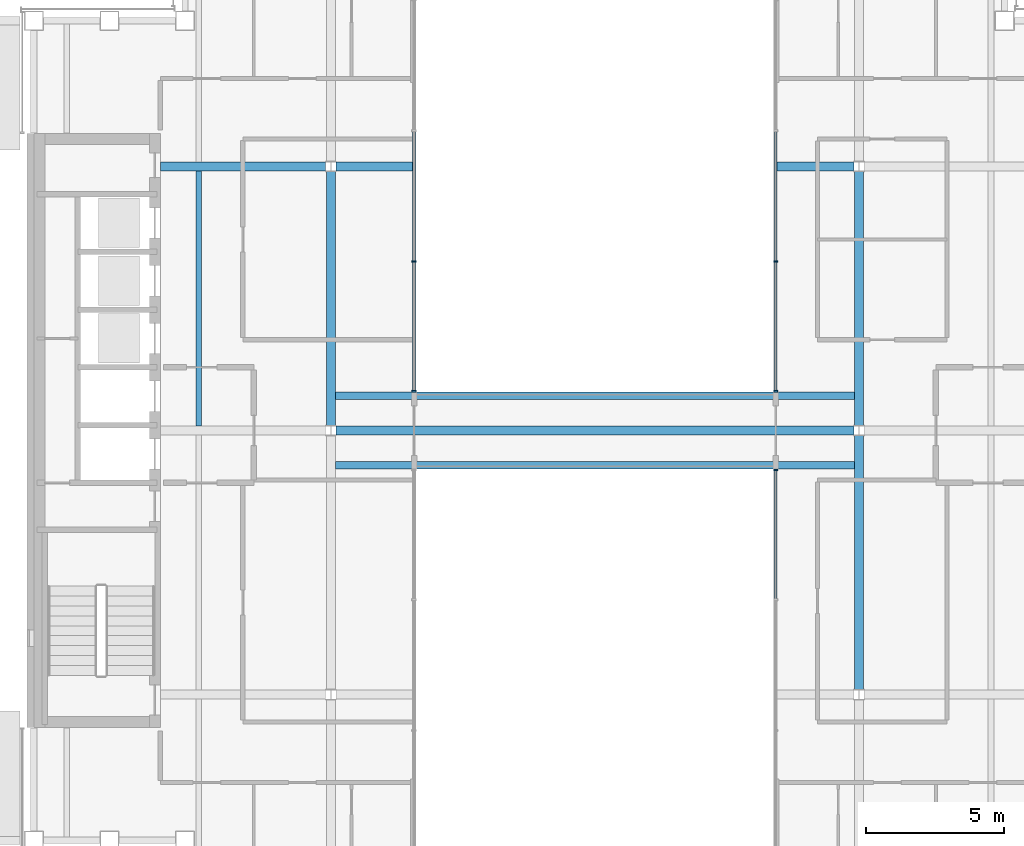
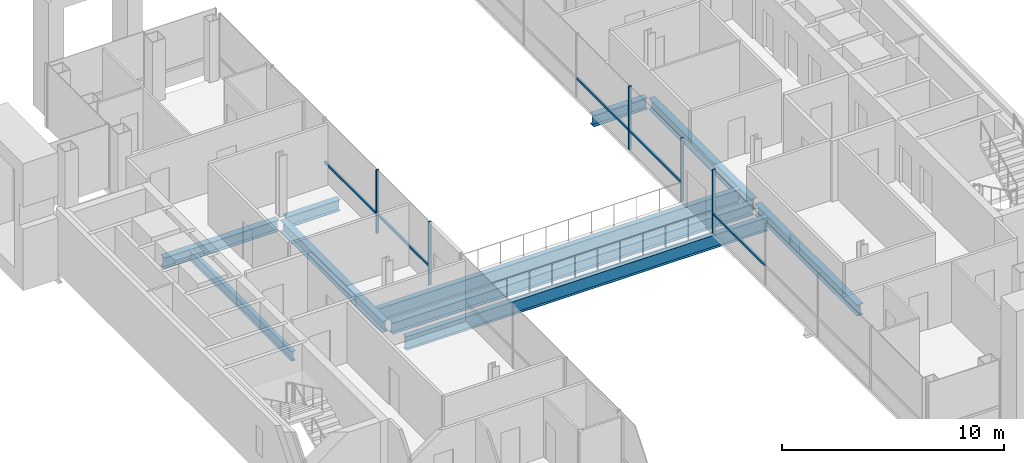
# One storey, part 5 of 17: 10 beams, 10 members, 3 elements without a shape of their own.
"""IFC4 building model written with IfcOpenShell, lengths in metres."""

from ifc_helpers import new_model, si_unit, direction, frame, origin, origin_2d, place, context, subcontext, project, spatial, rectangle, i_section, extrude, material, material_profile, profile_set, type_object, element, aggregate, save


model = new_model("IFC4")

# Units and contexts
model_context = context("Model", 3, precision=1e-05, world=origin(), true_north=direction((0.0, 1.0)))
body_context = subcontext(model_context, "Body", "Model", "MODEL_VIEW")
ifc_project = project(units=[si_unit("LENGTHUNIT", "METRE"), si_unit("AREAUNIT", "SQUARE_METRE"), si_unit("VOLUMEUNIT", "CUBIC_METRE"), si_unit("PLANEANGLEUNIT", "RADIAN"), si_unit("MASSUNIT", "GRAM", prefix="KILO")], contexts=[model_context])

# Site, building, storey
site_placement = place(None, origin())
site = spatial("IfcSite", under=ifc_project, at=site_placement, CompositionType="ELEMENT")
building_placement = place(site_placement, origin())
building = spatial("IfcBuilding", under=site, at=building_placement, Name="Cobrizo Arcos Hotel Tower", CompositionType="ELEMENT")
storey_placement = place(building_placement, frame((0.0, 0.0, 226.0)))
storey = spatial("IfcBuildingStorey", under=building, at=storey_placement, Name="L59", CompositionType="ELEMENT", Elevation=226.0)

# Curtain wall, member
ifc_material_1 = material(Name="Aluminium 6063-T6 anodised bronze", Category="aluminium")
curtain_wall_type = type_object("IfcCurtainWallType", Name="CW-F void screen", PredefinedType="NOTDEFINED", material=ifc_material_1)
curtain_wall_1_placement = place(storey_placement, origin())
curtain_wall_1 = element("IfcCurtainWall", 1, at=curtain_wall_1_placement, inside=storey, type_object=curtain_wall_type, Name="CW-F L59 void screen C", PredefinedType="NOTDEFINED")
ifc_material_profile_1 = material_profile(ifc_material_1, rectangle(XDim=0.14990234375, YDim=0.06005859375, at=origin_2d()), Name="CW-F mullion 150x60")
ifc_profile_set_1 = profile_set([ifc_material_profile_1], Name="Aluminium 6063-T6 anodised bronze")
member_type_1 = type_object("IfcMemberType", Name="CW-F mullion 150x60", PredefinedType="MULLION", material=ifc_profile_set_1)
member_1_placement = place(storey_placement, frame((6.574951171875, -1.429931640625, 0.0), z_axis=(0.0, 0.0, 1.0), x_axis=(1.0, 0.0, 0.0)))
member_1 = element("IfcMember", 2, at=member_1_placement, type_object=member_type_1, Name="CW-F mullion 5", PredefinedType="MULLION", context=body_context, shape_type="SweptSolid", body=[
    extrude(rectangle(XDim=0.14990234375, YDim=0.06005859375, at=origin_2d()), origin(), (0.0, 0.0, 1.0), 3.5),
])

# Curtain wall, members
curtain_wall_2_placement = place(storey_placement, origin())
curtain_wall_2 = element("IfcCurtainWall", 3, at=curtain_wall_2_placement, inside=storey, type_object=curtain_wall_type, Name="CW-F L59 void screen C", PredefinedType="NOTDEFINED")
member_2_placement = place(storey_placement, frame((6.574951171875, 1.429931640625, 0.0), z_axis=(0.0, 0.0, 1.0), x_axis=(1.0, 0.0, 0.0)))
member_2 = element("IfcMember", 4, at=member_2_placement, type_object=member_type_1, Name="CW-F mullion 1", PredefinedType="MULLION", context=body_context, shape_type="SweptSolid", body=[
    extrude(rectangle(XDim=0.14990234375, YDim=0.06005859375, at=origin_2d()), origin(), (0.0, 0.0, 1.0), 3.5),
])
member_3_placement = place(storey_placement, frame((6.574951171875, 6.14990234375, 0.0), z_axis=(0.0, 0.0, 1.0), x_axis=(1.0, 0.0, 0.0)))
member_3 = element("IfcMember", 5, at=member_3_placement, type_object=member_type_1, Name="CW-F mullion 2", PredefinedType="MULLION", context=body_context, shape_type="SweptSolid", body=[
    extrude(rectangle(XDim=0.14990234375, YDim=0.06005859375, at=origin_2d()), origin(), (0.0, 0.0, 1.0), 3.5),
])

curtain_wall_3_placement = place(storey_placement, origin())
curtain_wall_3 = element("IfcCurtainWall", 6, at=curtain_wall_3_placement, inside=storey, type_object=curtain_wall_type, Name="CW-F L59 void screen C", PredefinedType="NOTDEFINED")
member_4_placement = place(storey_placement, frame((-6.574951171875, 6.14990234375, 0.0), z_axis=(0.0, 0.0, 1.0), x_axis=(-1.0, 0.0, 0.0)))
member_4 = element("IfcMember", 7, at=member_4_placement, type_object=member_type_1, Name="CW-F mullion 4", PredefinedType="MULLION", context=body_context, shape_type="SweptSolid", body=[
    extrude(rectangle(XDim=0.14990234375, YDim=0.06005859375, at=origin_2d()), origin(), (0.0, 0.0, 1.0), 3.5),
])
member_5_placement = place(storey_placement, frame((-6.574951171875, 1.429931640625, 0.0), z_axis=(0.0, 0.0, 1.0), x_axis=(-1.0, 0.0, 0.0)))
member_5 = element("IfcMember", 8, at=member_5_placement, type_object=member_type_1, Name="CW-F mullion 5", PredefinedType="MULLION", context=body_context, shape_type="SweptSolid", body=[
    extrude(rectangle(XDim=0.14990234375, YDim=0.06005859375, at=origin_2d()), origin(), (0.0, 0.0, 1.0), 3.5),
])

# Member
ifc_material_profile_2 = material_profile(ifc_material_1, rectangle(XDim=0.10009765625, YDim=0.1201171875, at=origin_2d()), Name="CW-F transom 120x100")
ifc_profile_set_2 = profile_set([ifc_material_profile_2], Name="Aluminium 6063-T6 anodised bronze")
member_type_2 = type_object("IfcMemberType", Name="CW-F transom 120x100", PredefinedType="USERDEFINED", material=ifc_profile_set_2)
member_6_placement = place(storey_placement, frame((6.574951171875, -6.1201171875, 1.050048828125), z_axis=(0.0, 1.0, 0.0), x_axis=(-1.0, 0.0, 0.0)))
member_6 = element("IfcMember", 9, at=member_6_placement, type_object=member_type_2, Name="CW-F transom 2719", ObjectType="TRANSOM", PredefinedType="USERDEFINED", context=body_context, shape_type="SweptSolid", body=[
    extrude(rectangle(XDim=0.10009765625, YDim=0.1201171875, at=origin_2d()), origin(), (0.0, 0.0, 1.0), 4.66015625),
])

aggregate(curtain_wall_1, [member_1, member_6])

member_7_placement = place(storey_placement, frame((6.574951171875, 1.4599609375, 1.050048828125), z_axis=(0.0, 1.0, 0.0), x_axis=(-1.0, 0.0, 0.0)))
member_7 = element("IfcMember", 10, at=member_7_placement, type_object=member_type_2, Name="CW-F transom 2720", ObjectType="TRANSOM", PredefinedType="USERDEFINED", context=body_context, shape_type="SweptSolid", body=[
    extrude(rectangle(XDim=0.10009765625, YDim=0.1201171875, at=origin_2d()), origin(), (0.0, 0.0, 1.0), 4.66015625),
])

member_8_placement = place(storey_placement, frame((6.574951171875, 6.179931640625, 1.050048828125), z_axis=(0.0, 1.0, 0.0), x_axis=(-1.0, 0.0, 0.0)))
member_8 = element("IfcMember", 11, at=member_8_placement, type_object=member_type_2, Name="CW-F transom 2721", ObjectType="TRANSOM", PredefinedType="USERDEFINED", context=body_context, shape_type="SweptSolid", body=[
    extrude(rectangle(XDim=0.10009765625, YDim=0.1201171875, at=origin_2d()), origin(), (0.0, 0.0, 1.0), 4.690185546875),
])

aggregate(curtain_wall_2, [member_2, member_3, member_7, member_8])

member_9_placement = place(storey_placement, frame((-6.574951171875, 10.8701171875, 1.050048828125), z_axis=(0.0, -1.0, 0.0), x_axis=(1.0, 0.0, 0.0)))
member_9 = element("IfcMember", 12, at=member_9_placement, type_object=member_type_2, Name="CW-F transom 2726", ObjectType="TRANSOM", PredefinedType="USERDEFINED", context=body_context, shape_type="SweptSolid", body=[
    extrude(rectangle(XDim=0.10009765625, YDim=0.1201171875, at=origin_2d()), origin(), (0.0, 0.0, 1.0), 4.690185546875),
])

member_10_placement = place(storey_placement, frame((-6.574951171875, 6.1201171875, 1.050048828125), z_axis=(0.0, -1.0, 0.0), x_axis=(1.0, 0.0, 0.0)))
member_10 = element("IfcMember", 13, at=member_10_placement, type_object=member_type_2, Name="CW-F transom 2727", ObjectType="TRANSOM", PredefinedType="USERDEFINED", context=body_context, shape_type="SweptSolid", body=[
    extrude(rectangle(XDim=0.10009765625, YDim=0.1201171875, at=origin_2d()), origin(), (0.0, 0.0, 1.0), 4.66015625),
])

aggregate(curtain_wall_3, [member_4, member_5, member_9, member_10])

# Beams
ifc_material_2 = material(Name="Steel ASTM A992 Grade 50", Category="steel")
ifc_material_profile_3 = material_profile(ifc_material_2, i_section(OverallWidth=0.209228515625, OverallDepth=0.533447265625, WebThickness=0.01025390625, FlangeThickness=0.015625, at=origin_2d()), Name="W21X62")
ifc_profile_set_3 = profile_set([ifc_material_profile_3], Name="Steel ASTM A992 Grade 50")
beam_type_1 = type_object("IfcBeamType", Name="W21X62 joist", PredefinedType="JOIST", material=ifc_profile_set_3)
beam_1_placement = place(storey_placement, frame((-14.39990234375, 0.163818359375, -0.416748046875), z_axis=(0.0, 1.0, 0.0), x_axis=(-1.0, 0.0, 0.0)))
element("IfcBeam", 14, at=beam_1_placement, inside=storey, type_object=beam_type_1, Name="Floor joist J1, L59, no. 005", PredefinedType="JOIST", context=body_context, shape_type="SweptSolid", body=[
    extrude(i_section(OverallWidth=0.209228515625, OverallDepth=0.533447265625, WebThickness=0.01025390625, FlangeThickness=0.015625, at=origin_2d()), origin(), (0.0, 0.0, 1.0), 9.272216796875),
])
ifc_material_profile_4 = material_profile(ifc_material_2, i_section(OverallWidth=0.32763671875, OverallDepth=0.622314453125, WebThickness=0.015380859375, FlangeThickness=0.0244140625, at=origin_2d()), Name="W24X131")
ifc_profile_set_4 = profile_set([ifc_material_profile_4], Name="Steel ASTM A992 Grade 50")
beam_type_2 = type_object("IfcBeamType", Name="W24X131 girder", PredefinedType="BEAM", material=ifc_profile_set_4)
beam_2_placement = place(storey_placement, frame((-9.413330078125, 0.0, -0.461181640625), z_axis=(1.0, 0.0, 0.0), x_axis=(0.0, 1.0, 0.0)))
element("IfcBeam", 15, at=beam_2_placement, inside=storey, type_object=beam_type_2, Name="Floor girder G1, L59, no. 006", PredefinedType="BEAM", context=body_context, shape_type="SweptSolid", body=[
    extrude(i_section(OverallWidth=0.32763671875, OverallDepth=0.622314453125, WebThickness=0.015380859375, FlangeThickness=0.0244140625, at=origin_2d()), origin(), (0.0, 0.0, 1.0), 18.82666015625),
])
beam_3_placement = place(storey_placement, frame((-15.7900390625, 9.60009765625, -0.461181640625), z_axis=(1.0, 0.0, 0.0), x_axis=(0.0, 1.0, 0.0)))
element("IfcBeam", 16, at=beam_3_placement, inside=storey, type_object=beam_type_2, Name="Floor girder G1, L59, no. 008", PredefinedType="BEAM", context=body_context, shape_type="SweptSolid", body=[
    extrude(i_section(OverallWidth=0.32763671875, OverallDepth=0.622314453125, WebThickness=0.015380859375, FlangeThickness=0.0244140625, at=origin_2d()), origin(), (0.0, 0.0, 1.0), 6.00341796875),
])
for number, where, z_axis, x_axis, name in (
    (17, (-9.413330078125, 9.60009765625, -0.461181640625), (1.0, 0.0, 0.0), (0.0, 1.0, 0.0), "Floor girder G1, L59, no. 009"),
    (18, (6.590087890625, 9.60009765625, -0.461181640625), (1.0, 0.0, 0.0), (0.0, 1.0, 0.0), "Floor girder G1, L59, no. 010"),
):
    element("IfcBeam", number, at=place(storey_placement, frame(where, z_axis=z_axis, x_axis=x_axis)), inside=storey, type_object=beam_type_2, Name=name, PredefinedType="BEAM", context=body_context, shape_type="SweptSolid", body=[
        extrude(i_section(OverallWidth=0.32763671875, OverallDepth=0.622314453125, WebThickness=0.015380859375, FlangeThickness=0.0244140625, at=origin_2d()), origin(), (0.0, 0.0, 1.0), 2.8232421875),
    ])
for number, where, z_axis, x_axis, name in (
    (19, (-9.60009765625, 0.186767578125, -0.461181640625), (0.0, 1.0, 0.0), (-1.0, 0.0, 0.0), "Floor girder G1, L59, no. 014"),
    (20, (9.60009765625, -9.413330078125, -0.461181640625), (0.0, 1.0, 0.0), (-1.0, 0.0, 0.0), "Floor girder G1, L59, no. 017"),
    (21, (9.60009765625, 0.186767578125, -0.461181640625), (0.0, 1.0, 0.0), (-1.0, 0.0, 0.0), "Floor girder G1, L59, no. 018"),
):
    element("IfcBeam", number, at=place(storey_placement, frame(where, z_axis=z_axis, x_axis=x_axis)), inside=storey, type_object=beam_type_2, Name=name, PredefinedType="BEAM", context=body_context, shape_type="SweptSolid", body=[
        extrude(i_section(OverallWidth=0.32763671875, OverallDepth=0.622314453125, WebThickness=0.015380859375, FlangeThickness=0.0244140625, at=origin_2d()), origin(), (0.0, 0.0, 1.0), 9.2265625),
    ])
ifc_material_profile_5 = material_profile(ifc_material_2, i_section(OverallWidth=0.2666015625, OverallDepth=0.7568359375, WebThickness=0.013916015625, FlangeThickness=0.019287109375, at=origin_2d()), Name="W30X108")
ifc_profile_set_5 = profile_set([ifc_material_profile_5], Name="Steel ASTM A992 Grade 50")
beam_type_3 = type_object("IfcBeamType", Name="W30X108 bridge girder", PredefinedType="BEAM", material=ifc_profile_set_5)
for number, where, z_axis, x_axis, name in (
    (22, (-9.43603515625, -1.2666015625, -0.5283203125), (1.0, 0.0, 0.0), (0.0, 1.0, 0.0), "Bridge girder BG1, L59, no. 001"),
    (23, (-9.43603515625, 1.2666015625, -0.5283203125), (1.0, 0.0, 0.0), (0.0, 1.0, 0.0), "Bridge girder BG1, L59, no. 002"),
):
    element("IfcBeam", number, at=place(storey_placement, frame(where, z_axis=z_axis, x_axis=x_axis)), inside=storey, type_object=beam_type_3, Name=name, PredefinedType="BEAM", context=body_context, shape_type="SweptSolid", body=[
        extrude(i_section(OverallWidth=0.2666015625, OverallDepth=0.7568359375, WebThickness=0.013916015625, FlangeThickness=0.019287109375, at=origin_2d()), origin(), (0.0, 0.0, 1.0), 18.8720703125),
    ])

save(model, "model.ifc")
